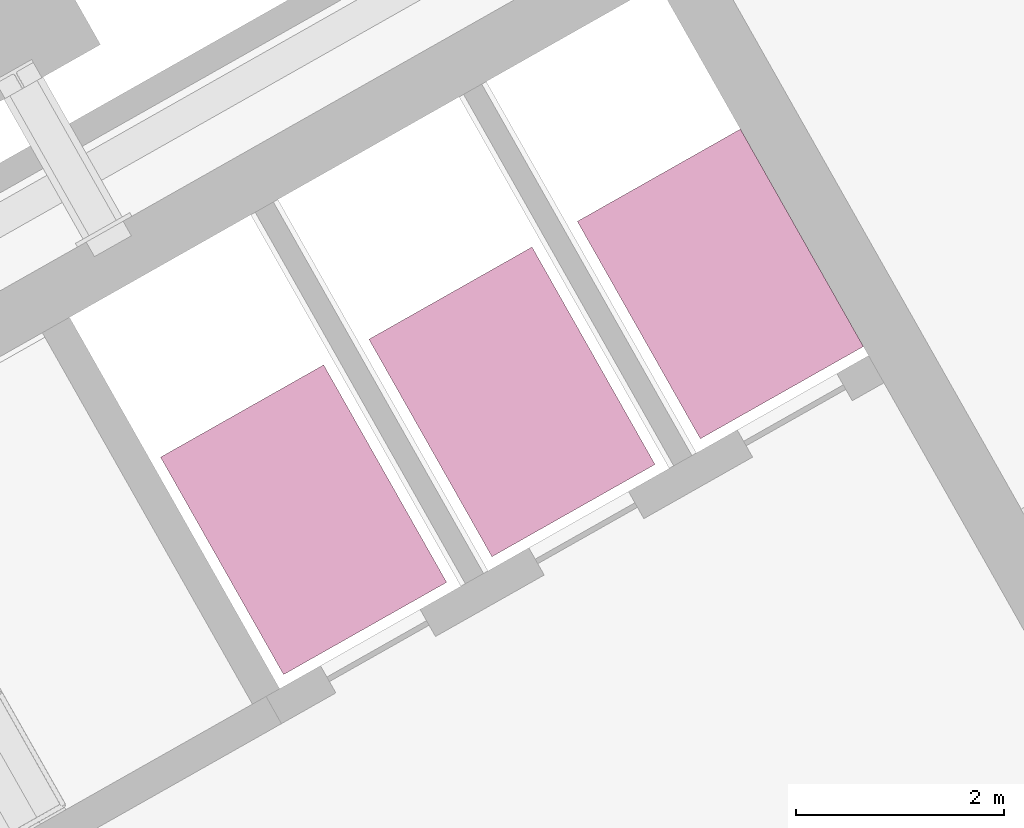
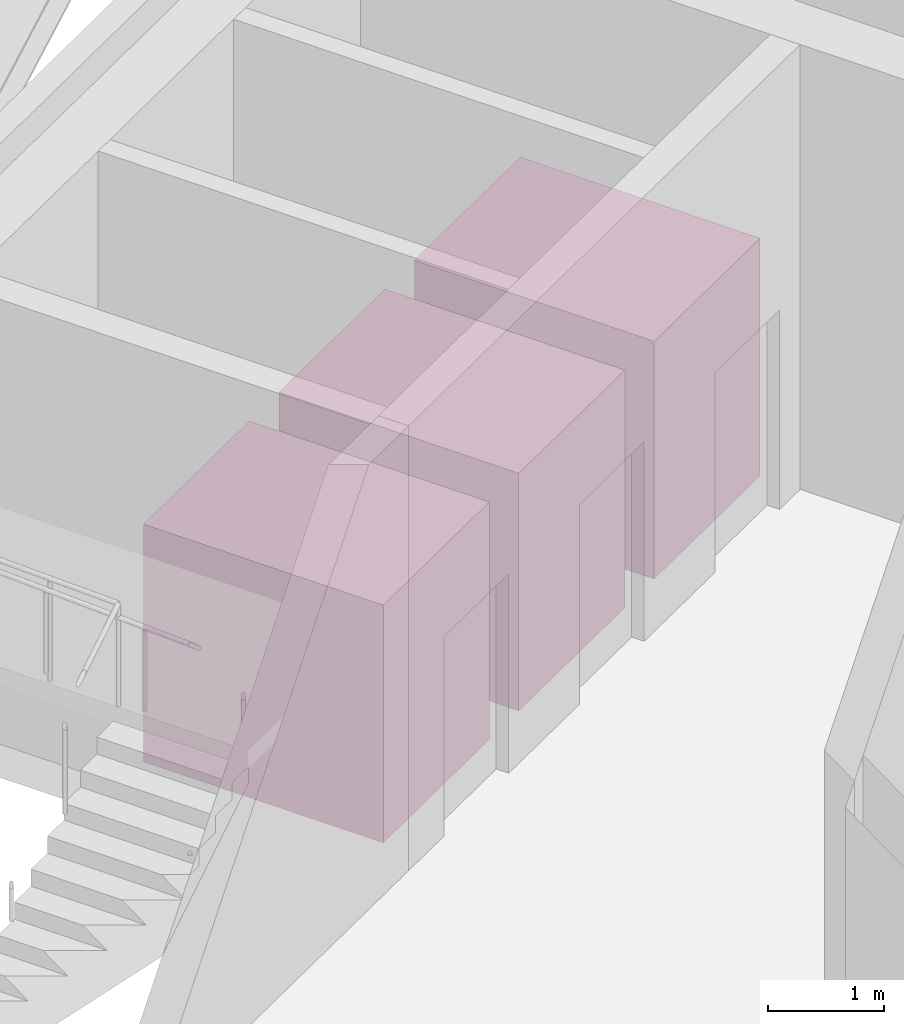
# One storey, part 16 of 16: 3 transport elements.
"""IFC4 building model written with IfcOpenShell, lengths in metres."""

from ifc_helpers import new_model, si_unit, direction, frame, origin, origin_2d, place, context, subcontext, project, spatial, rectangle, extrude, material, type_object, element, save


model = new_model("IFC4")

# Units and contexts
model_context = context("Model", 3, precision=1e-05, world=origin(), true_north=direction((0.0, 1.0)))
body_context = subcontext(model_context, "Body", "Model", "MODEL_VIEW")
ifc_project = project(units=[si_unit("LENGTHUNIT", "METRE"), si_unit("AREAUNIT", "SQUARE_METRE"), si_unit("VOLUMEUNIT", "CUBIC_METRE"), si_unit("PLANEANGLEUNIT", "RADIAN"), si_unit("MASSUNIT", "GRAM", prefix="KILO")], contexts=[model_context])

# Site, building, storey
site_placement = place(None, origin())
site = spatial("IfcSite", under=ifc_project, at=site_placement, CompositionType="ELEMENT")
building_placement = place(site_placement, origin())
building = spatial("IfcBuilding", under=site, at=building_placement, Name="Binnacle Exchange Tower", CompositionType="ELEMENT")
storey_placement = place(building_placement, frame((0.0, 0.0, 149.89990234375)))
storey = spatial("IfcBuildingStorey", under=building, at=storey_placement, Name="L31", CompositionType="ELEMENT", Elevation=149.89990234375)

# Transport elements
ifc_material = material(Name="Stainless steel lift car", Category="steel")
transport_element_type = type_object("IfcTransportElementType", Name="LIFT CAR 1800x2400", PredefinedType="ELEVATOR", material=ifc_material)
for number, where, z_axis, x_axis, name in (
    (1, (-15.331298828125, 55.51953125, 0.0), (0.0, 0.0, 1.0), (0.870355581136, 0.492423763019, 0.0), "Lift MP1 (passenger mid-rise)"),
    (2, (-13.32958984375, 56.652099609375, 0.0), (0.0, 0.0, 1.0), (0.870355581136, 0.492423763019, 0.0), "Lift MP2 (passenger mid-rise)"),
    (3, (-11.32763671875, 57.784912109375, 0.0), (0.0, 0.0, 1.0), (0.870355581136, 0.492423763019, 0.0), "Lift MP3 (passenger mid-rise)"),
):
    element("IfcTransportElement", number, at=place(storey_placement, frame(where, z_axis=z_axis, x_axis=x_axis)), inside=storey, type_object=transport_element_type, Name=name, PredefinedType="ELEVATOR", context=body_context, shape_type="SweptSolid", body=[
        extrude(rectangle(XDim=1.800048828125, YDim=2.39990234375, at=origin_2d()), origin(), (0.0, 0.0, 1.0), 2.5),
    ])

save(model, "model.ifc")
